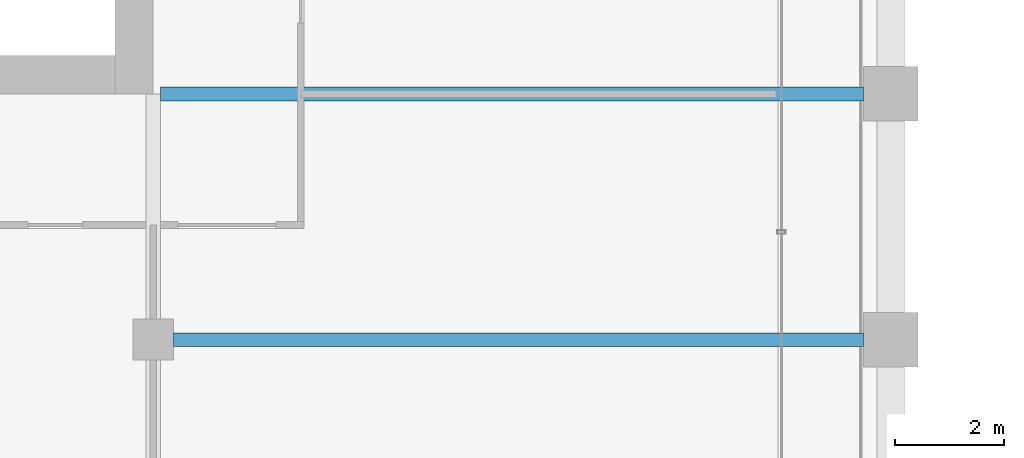
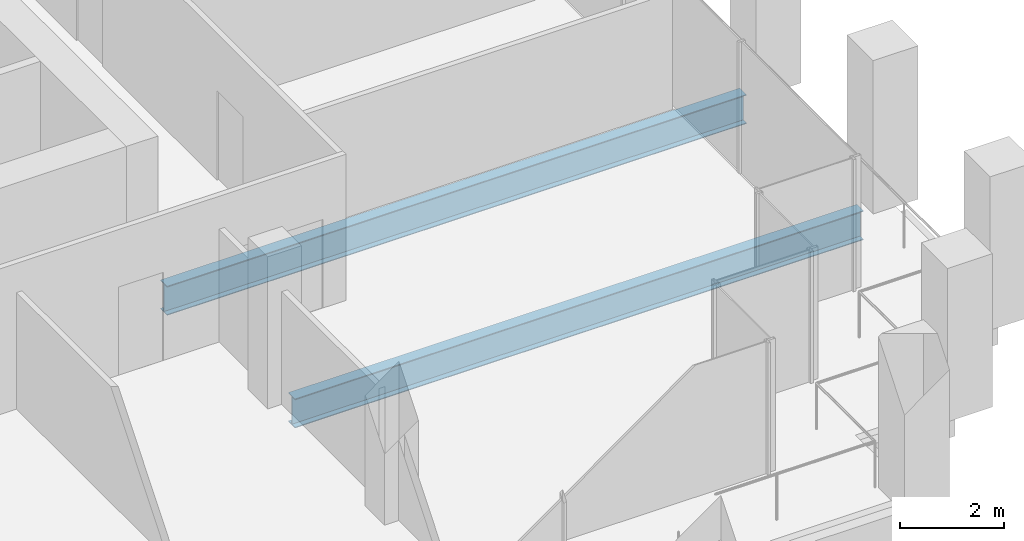
# One storey, part 14 of 47: 2 beams.
"""IFC4 building model written with IfcOpenShell, lengths in metres."""

from ifc_helpers import new_model, si_unit, direction, frame, origin, origin_2d, place, context, subcontext, project, spatial, i_section, extrude, material, material_profile, profile_set, type_object, element, save


model = new_model("IFC4")

# Units and contexts
model_context = context("Model", 3, precision=1e-05, world=origin(), true_north=direction((0.0, 1.0)))
body_context = subcontext(model_context, "Body", "Model", "MODEL_VIEW")
ifc_project = project(units=[si_unit("LENGTHUNIT", "METRE"), si_unit("AREAUNIT", "SQUARE_METRE"), si_unit("VOLUMEUNIT", "CUBIC_METRE"), si_unit("PLANEANGLEUNIT", "RADIAN"), si_unit("MASSUNIT", "GRAM", prefix="KILO")], contexts=[model_context])

# Site, building, storey
site_placement = place(None, origin())
site = spatial("IfcSite", under=ifc_project, at=site_placement, CompositionType="ELEMENT")
building_placement = place(site_placement, origin())
building = spatial("IfcBuilding", under=site, at=building_placement, Name="Altepetl Exchange Towers", CompositionType="ELEMENT")
storey_placement = place(building_placement, frame((0.0, 0.0, 95.60009765625)))
storey = spatial("IfcBuildingStorey", under=building, at=storey_placement, Name="L23", CompositionType="ELEMENT", Elevation=95.60009765625)

# Beams
ifc_material = material(Name="Steel S355", Category="steel")
ifc_material_profile = material_profile(ifc_material, i_section(OverallWidth=0.25390625, OverallDepth=0.68408203125, WebThickness=0.012451171875, FlangeThickness=0.018798828125, at=origin_2d()), Name="W27X94")
ifc_profile_set = profile_set([ifc_material_profile], Name="Steel S355")
beam_type = type_object("IfcBeamType", Name="Floor beam W27X94", PredefinedType="BEAM", material=ifc_profile_set)
beam_1_placement = place(storey_placement, frame((58.875, 36.0, -0.4921875), z_axis=(1.0, 0.0, 0.0), x_axis=(0.0, 1.0, 0.0)))
element("IfcBeam", 1, at=beam_1_placement, inside=storey, type_object=beam_type, Name="bm:A:L23:007", PredefinedType="BEAM", context=body_context, shape_type="SweptSolid", body=[
    extrude(i_section(OverallWidth=0.25390625, OverallDepth=0.68408203125, WebThickness=0.012451171875, FlangeThickness=0.018798828125, at=origin_2d()), origin(), (0.0, 0.0, 1.0), 12.625),
])
beam_2_placement = place(storey_placement, frame((58.634033203125, 40.5, -0.4921875), z_axis=(1.0, 0.0, 0.0), x_axis=(0.0, 1.0, 0.0)))
element("IfcBeam", 2, at=beam_2_placement, inside=storey, type_object=beam_type, Name="bm:A:L23:008", PredefinedType="BEAM", context=body_context, shape_type="SweptSolid", body=[
    extrude(i_section(OverallWidth=0.25390625, OverallDepth=0.68408203125, WebThickness=0.012451171875, FlangeThickness=0.018798828125, at=origin_2d()), origin(), (0.0, 0.0, 1.0), 12.865966796875),
])

save(model, "model.ifc")
